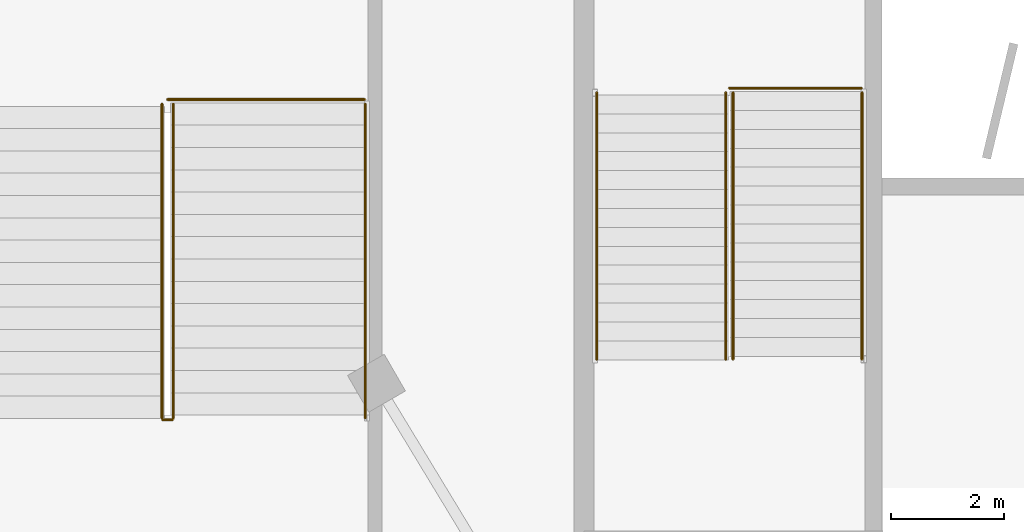
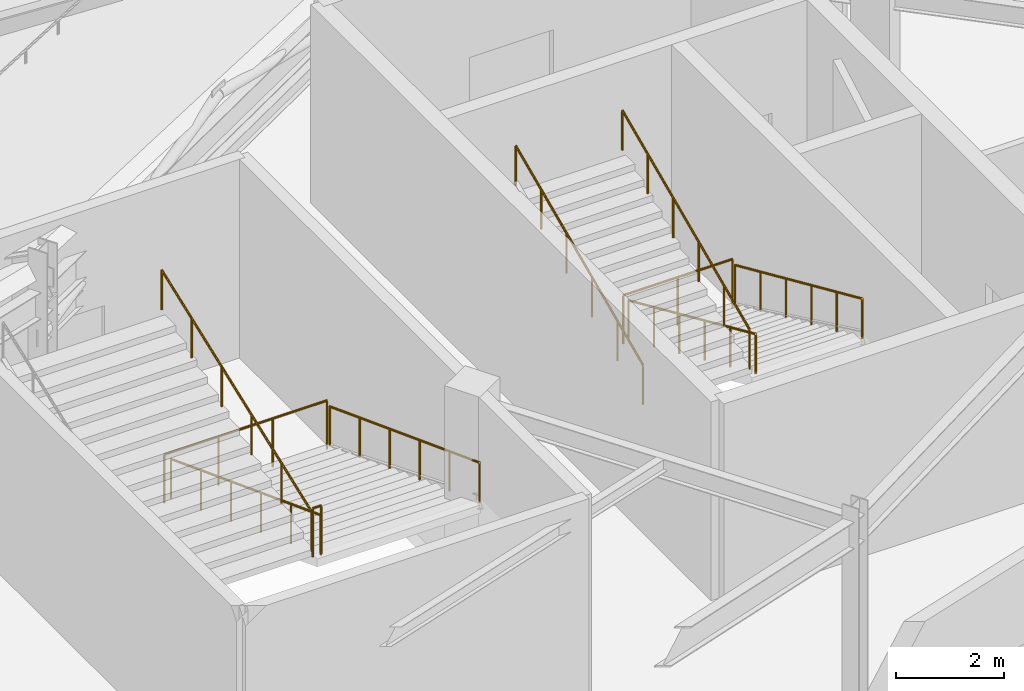
# One storey, part 51 of 63: 10 railings.
"""IFC4 building model written with IfcOpenShell, lengths in metres."""

from ifc_helpers import new_model, si_unit, direction, frame, origin, origin_2d, place, context, subcontext, project, spatial, circle, extrude, material, type_object, element, save


model = new_model("IFC4")

# Units and contexts
model_context = context("Model", 3, precision=1e-05, world=origin(), true_north=direction((0.0, 1.0)))
body_context = subcontext(model_context, "Body", "Model", "MODEL_VIEW")
ifc_project = project(units=[si_unit("LENGTHUNIT", "METRE"), si_unit("AREAUNIT", "SQUARE_METRE"), si_unit("VOLUMEUNIT", "CUBIC_METRE"), si_unit("PLANEANGLEUNIT", "RADIAN"), si_unit("MASSUNIT", "GRAM", prefix="KILO")], contexts=[model_context])

# Site, building, storey
site_placement = place(None, origin())
site = spatial("IfcSite", under=ifc_project, at=site_placement, CompositionType="ELEMENT")
building_placement = place(site_placement, origin())
building = spatial("IfcBuilding", under=site, at=building_placement, Name="Kalgoora Escarpment Arena", CompositionType="ELEMENT")
storey_placement = place(building_placement, frame((0.0, 0.0, 14.39990234375)))
storey = spatial("IfcBuildingStorey", under=building, at=storey_placement, Name="L03", CompositionType="ELEMENT", Elevation=14.39990234375)

# Railings
ifc_material_1 = material(Name="Galvanised & powdercoated tubular steel", Category="steel")
railing_type_1 = type_object("IfcRailingType", Name="RAL-GUARD-1120", PredefinedType="GUARDRAIL", material=ifc_material_1)
railing_1_placement = place(storey_placement, frame((132.68994140625, 26.7900390625, 0.0)))
element("IfcRailing", 1, at=railing_1_placement, inside=storey, type_object=railing_type_1, Name="ST06 L03 floor landing well guard", PredefinedType="GUARDRAIL", context=body_context, shape_type="SweptSolid", body=[
    extrude(circle(Radius=0.02392578125, at=origin_2d()), frame((0.0, 0.0, 1.09619140625), z_axis=(-1.0, 0.0, 0.0), x_axis=(0.0, -1.0, 0.0)), (0.0, 0.0, 1.0), 2.33984375),
    extrude(circle(Radius=0.02099609375, at=origin_2d()), origin(), (0.0, 0.0, 1.0), 1.072021484375),
    extrude(circle(Radius=0.02099609375, at=origin_2d()), frame((-1.169921875, 0.0, 0.0)), (0.0, 0.0, 1.0), 1.072021484375),
    extrude(circle(Radius=0.02099609375, at=origin_2d()), frame((-2.33984375, 0.0, 0.0)), (0.0, 0.0, 1.0), 1.072021484375),
])
railing_2_placement = place(storey_placement, frame((120.489990234375, 20.919921875, 2.25)))
element("IfcRailing", 2, at=railing_2_placement, inside=storey, type_object=railing_type_1, Name="ST16 L03 half-landing well guard", PredefinedType="GUARDRAIL", context=body_context, shape_type="SweptSolid", body=[
    extrude(circle(Radius=0.02392578125, at=origin_2d()), frame((0.0, 0.0, 1.09619140625), z_axis=(-1.0, 0.0, 0.0), x_axis=(0.0, -1.0, 0.0)), (0.0, 0.0, 1.0), 0.179931640625),
    extrude(circle(Radius=0.02099609375, at=origin_2d()), origin(), (0.0, 0.0, 1.0), 1.072021484375),
    extrude(circle(Radius=0.02099609375, at=origin_2d()), frame((-0.179931640625, 0.0, 0.0)), (0.0, 0.0, 1.0), 1.072021484375),
])
railing_3_placement = place(storey_placement, frame((123.889892578125, 26.590087890625, 0.0)))
element("IfcRailing", 3, at=railing_3_placement, inside=storey, type_object=railing_type_1, Name="ST16 L03 floor landing well guard", PredefinedType="GUARDRAIL", context=body_context, shape_type="SweptSolid", body=[
    extrude(circle(Radius=0.02392578125, at=origin_2d()), frame((0.0, 0.0, 1.09619140625), z_axis=(-1.0, 0.0, 0.0), x_axis=(0.0, -1.0, 0.0)), (0.0, 0.0, 1.0), 3.489990234375),
    extrude(circle(Radius=0.02099609375, at=origin_2d()), origin(), (0.0, 0.0, 1.0), 1.072021484375),
    extrude(circle(Radius=0.02099609375, at=origin_2d()), frame((-1.163330078125, 0.0, 0.0)), (0.0, 0.0, 1.0), 1.072021484375),
    extrude(circle(Radius=0.02099609375, at=origin_2d()), frame((-2.32666015625, 0.0, 0.0)), (0.0, 0.0, 1.0), 1.072021484375),
    extrude(circle(Radius=0.02099609375, at=origin_2d()), frame((-3.489990234375, 0.0, 0.0)), (0.0, 0.0, 1.0), 1.072021484375),
])
ifc_material_2 = material(Name="Brushed stainless steel 316 handrail", Category="steel")
railing_type_2 = type_object("IfcRailingType", Name="RAL-HAND-920", PredefinedType="HANDRAIL", material=ifc_material_2)
for number, where, name in (
    (4, (132.699951171875, 26.7099609375, 0.110107421875), "ST06 L03 pitched stair handrail F1L"),
    (5, (130.4150390625, 26.7099609375, 0.110107421875), "ST06 L03 pitched stair handrail F1R"),
):
    element("IfcRailing", number, at=place(storey_placement, frame(where)), inside=storey, type_object=railing_type_2, Name=name, PredefinedType="HANDRAIL", context=body_context, shape_type="SweptSolid", body=[
        extrude(circle(Radius=0.02392578125, at=origin_2d()), frame((0.0, 0.0, 0.89599609375), z_axis=(0.0, -0.913643874524, 0.406515523129), x_axis=(1.0, 0.0, 0.0)), (0.0, 0.0, 1.0), 5.166015625),
        extrude(circle(Radius=0.02099609375, at=origin_2d()), origin(), (0.0, 0.0, 1.0), 0.871826171875),
        extrude(circle(Radius=0.02099609375, at=origin_2d()), frame((0.0, -0.944091796875, 0.419921875)), (0.0, 0.0, 1.0), 0.871826171875),
        extrude(circle(Radius=0.02099609375, at=origin_2d()), frame((0.0, -1.887939453125, 0.840087890625)), (0.0, 0.0, 1.0), 0.871826171875),
        extrude(circle(Radius=0.02099609375, at=origin_2d()), frame((0.0, -2.83203125, 1.260009765625)), (0.0, 0.0, 1.0), 0.871826171875),
        extrude(circle(Radius=0.02099609375, at=origin_2d()), frame((0.0, -3.77587890625, 1.68017578125)), (0.0, 0.0, 1.0), 0.871826171875),
        extrude(circle(Radius=0.02099609375, at=origin_2d()), frame((0.0, -4.719970703125, 2.10009765625)), (0.0, 0.0, 1.0), 0.871826171875),
    ])
for number, where, name in (
    (6, (130.284912109375, 21.989990234375, 2.360107421875), "ST06 L03 pitched stair handrail F2L"),
    (7, (128.0, 21.989990234375, 2.360107421875), "ST06 L03 pitched stair handrail F2R"),
):
    element("IfcRailing", number, at=place(storey_placement, frame(where)), inside=storey, type_object=railing_type_2, Name=name, PredefinedType="HANDRAIL", context=body_context, shape_type="SweptSolid", body=[
        extrude(circle(Radius=0.02392578125, at=origin_2d()), frame((0.0, 0.0, 0.89599609375), z_axis=(0.0, 0.913643874524, 0.406515523129), x_axis=(-1.0, 0.0, 0.0)), (0.0, 0.0, 1.0), 5.166015625),
        extrude(circle(Radius=0.02099609375, at=origin_2d()), origin(), (0.0, 0.0, 1.0), 0.871826171875),
        extrude(circle(Radius=0.02099609375, at=origin_2d()), frame((0.0, 0.944091796875, 0.419921875)), (0.0, 0.0, 1.0), 0.871826171875),
        extrude(circle(Radius=0.02099609375, at=origin_2d()), frame((0.0, 1.887939453125, 0.840087890625)), (0.0, 0.0, 1.0), 0.871826171875),
        extrude(circle(Radius=0.02099609375, at=origin_2d()), frame((0.0, 2.83203125, 1.260009765625)), (0.0, 0.0, 1.0), 0.871826171875),
        extrude(circle(Radius=0.02099609375, at=origin_2d()), frame((0.0, 3.77587890625, 1.68017578125)), (0.0, 0.0, 1.0), 0.871826171875),
        extrude(circle(Radius=0.02099609375, at=origin_2d()), frame((0.0, 4.719970703125, 2.10009765625)), (0.0, 0.0, 1.0), 0.871826171875),
    ])
for number, where, name in (
    (8, (123.89990234375, 26.510009765625, 0.110107421875), "ST16 L03 pitched stair handrail F1L"),
    (9, (120.5, 26.510009765625, 0.110107421875), "ST16 L03 pitched stair handrail F1R"),
):
    element("IfcRailing", number, at=place(storey_placement, frame(where)), inside=storey, type_object=railing_type_2, Name=name, PredefinedType="HANDRAIL", context=body_context, shape_type="SweptSolid", body=[
        extrude(circle(Radius=0.02392578125, at=origin_2d()), frame((0.0, 0.0, 0.89599609375), z_axis=(0.0, -0.935492612948, 0.353346248203), x_axis=(1.0, 0.0, 0.0)), (0.0, 0.0, 1.0), 5.943359375),
        extrude(circle(Radius=0.02099609375, at=origin_2d()), origin(), (0.0, 0.0, 1.0), 0.871826171875),
        extrude(circle(Radius=0.02099609375, at=origin_2d()), frame((0.0, -1.112060546875, 0.419921875)), (0.0, 0.0, 1.0), 0.871826171875),
        extrude(circle(Radius=0.02099609375, at=origin_2d()), frame((0.0, -2.22412109375, 0.840087890625)), (0.0, 0.0, 1.0), 0.871826171875),
        extrude(circle(Radius=0.02099609375, at=origin_2d()), frame((0.0, -3.3359375, 1.260009765625)), (0.0, 0.0, 1.0), 0.871826171875),
        extrude(circle(Radius=0.02099609375, at=origin_2d()), frame((0.0, -4.447998046875, 1.68017578125)), (0.0, 0.0, 1.0), 0.871826171875),
        extrude(circle(Radius=0.02099609375, at=origin_2d()), frame((0.0, -5.56005859375, 2.10009765625)), (0.0, 0.0, 1.0), 0.871826171875),
    ])
railing_4_placement = place(storey_placement, frame((120.300048828125, 20.949951171875, 2.360107421875)))
element("IfcRailing", 10, at=railing_4_placement, inside=storey, type_object=railing_type_2, Name="ST16 L03 pitched stair handrail F2L", PredefinedType="HANDRAIL", context=body_context, shape_type="SweptSolid", body=[
    extrude(circle(Radius=0.02392578125, at=origin_2d()), frame((0.0, 0.0, 0.89599609375), z_axis=(0.0, 0.935492612948, 0.353346248203), x_axis=(-1.0, 0.0, 0.0)), (0.0, 0.0, 1.0), 5.943359375),
    extrude(circle(Radius=0.02099609375, at=origin_2d()), origin(), (0.0, 0.0, 1.0), 0.871826171875),
    extrude(circle(Radius=0.02099609375, at=origin_2d()), frame((0.0, 1.112060546875, 0.419921875)), (0.0, 0.0, 1.0), 0.871826171875),
    extrude(circle(Radius=0.02099609375, at=origin_2d()), frame((0.0, 2.22412109375, 0.840087890625)), (0.0, 0.0, 1.0), 0.871826171875),
    extrude(circle(Radius=0.02099609375, at=origin_2d()), frame((0.0, 3.3359375, 1.260009765625)), (0.0, 0.0, 1.0), 0.871826171875),
    extrude(circle(Radius=0.02099609375, at=origin_2d()), frame((0.0, 4.447998046875, 1.68017578125)), (0.0, 0.0, 1.0), 0.871826171875),
    extrude(circle(Radius=0.02099609375, at=origin_2d()), frame((0.0, 5.56005859375, 2.10009765625)), (0.0, 0.0, 1.0), 0.871826171875),
])

save(model, "model.ifc")
